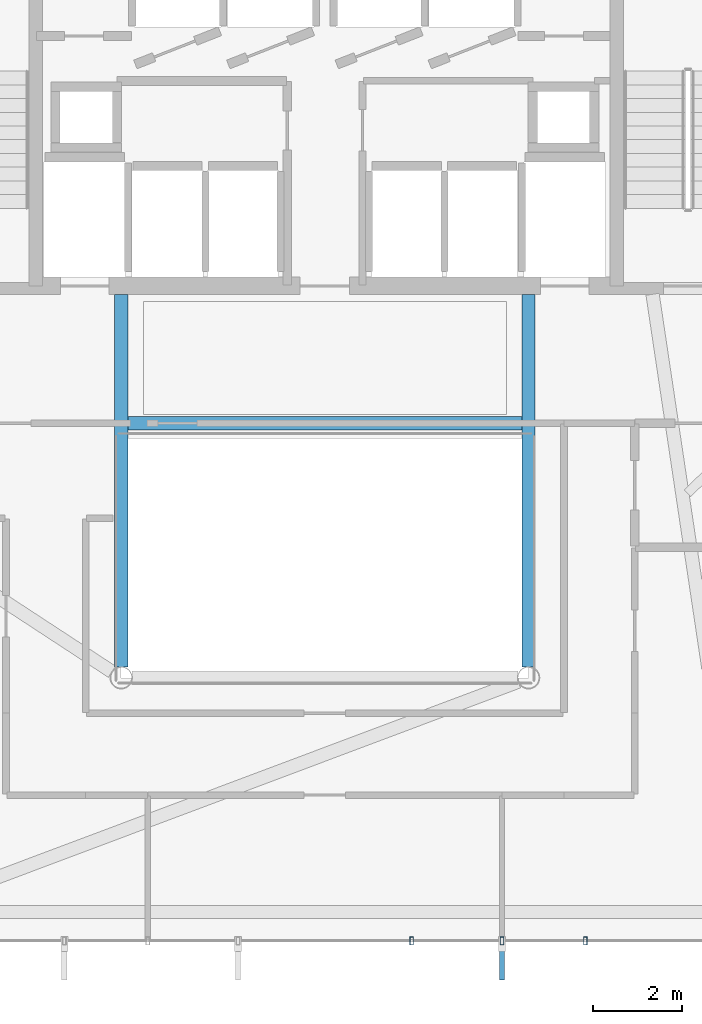
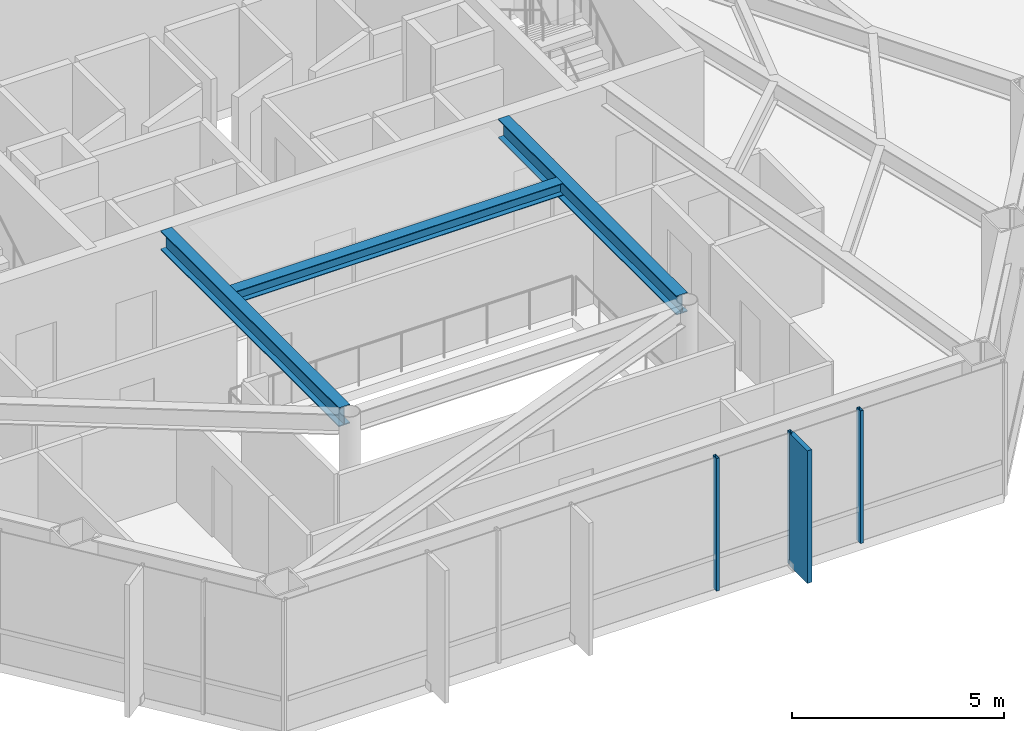
# One storey, part 8 of 25: 4 members, 3 beams, 1 element without a shape of its own.
"""IFC4 building model written with IfcOpenShell, lengths in metres."""

from ifc_helpers import new_model, si_unit, direction, frame, origin, origin_2d, place, context, subcontext, project, spatial, rectangle, hollow_rectangle, i_section, extrude, material, layer, layer_set, material_profile, profile_set, type_object, element, aggregate, save


model = new_model("IFC4")

# Units and contexts
model_context = context("Model", 3, precision=1e-05, world=origin(), true_north=direction((0.0, 1.0)))
body_context = subcontext(model_context, "Body", "Model", "MODEL_VIEW")
ifc_project = project(units=[si_unit("LENGTHUNIT", "METRE"), si_unit("AREAUNIT", "SQUARE_METRE"), si_unit("VOLUMEUNIT", "CUBIC_METRE"), si_unit("PLANEANGLEUNIT", "RADIAN"), si_unit("MASSUNIT", "GRAM", prefix="KILO")], contexts=[model_context])

# Site, building, storey
site_placement = place(None, origin())
site = spatial("IfcSite", under=ifc_project, at=site_placement, CompositionType="ELEMENT")
building_placement = place(site_placement, origin())
building = spatial("IfcBuilding", under=site, at=building_placement, Name="Zarrinselat Tower", CompositionType="ELEMENT")
storey_placement = place(building_placement, frame((0.0, 0.0, 84.659912109375)))
storey = spatial("IfcBuildingStorey", under=building, at=storey_placement, Name="L20", CompositionType="ELEMENT", Elevation=84.659912109375)

# Beams
ifc_material_1 = material(Name="Steel S355J2", Category="steel")
ifc_material_profile_1 = material_profile(ifc_material_1, i_section(OverallWidth=0.300048828125, OverallDepth=0.35009765625, WebThickness=0.010009765625, FlangeThickness=0.017578125, at=origin_2d()), Name="HEA 360")
ifc_profile_set_1 = profile_set([ifc_material_profile_1], Name="Steel S355J2")
beam_type_1 = type_object("IfcBeamType", Name="BM-HEA360", PredefinedType="LINTEL", material=ifc_profile_set_1)
beam_placement = place(storey_placement, frame((33.93994140625, 30.14990234375, 3.64501953125), z_axis=(1.0, 0.0, 0.0), x_axis=(0.0, 1.0, 0.0)))
element("IfcBeam", 1, at=beam_placement, inside=storey, type_object=beam_type_1, Name="L20 Lift Lobby Ceiling Beam", PredefinedType="LINTEL", context=body_context, shape_type="SweptSolid", body=[
    extrude(i_section(OverallWidth=0.300048828125, OverallDepth=0.35009765625, WebThickness=0.010009765625, FlangeThickness=0.017578125, at=origin_2d()), origin(), (0.0, 0.0, 1.0), 8.920166015625),
])
ifc_material_2 = material(Name="Steel S355J2", Category="steel")
ifc_material_profile_2 = material_profile(ifc_material_2, i_section(OverallWidth=0.300048828125, OverallDepth=0.550048828125, WebThickness=0.014892578125, FlangeThickness=0.029052734375, at=origin_2d()), Name="HEB 550")
ifc_profile_set_2 = profile_set([ifc_material_profile_2], Name="Steel S355J2")
beam_type_2 = type_object("IfcBeamType", Name="BM-HEB550", PredefinedType="BEAM", material=ifc_profile_set_2)
for number, where, z_axis, x_axis, name in (
    (2, (33.800048828125, 24.639892578125, 3.545166015625), (0.0, 1.0, 0.0), (-1.0, 0.0, 0.0), "L20 Atrium Edge Beam W"),
    (3, (43.0, 24.639892578125, 3.545166015625), (0.0, 1.0, 0.0), (-1.0, 0.0, 0.0), "L20 Atrium Edge Beam E"),
):
    element("IfcBeam", number, at=place(storey_placement, frame(where, z_axis=z_axis, x_axis=x_axis)), inside=storey, type_object=beam_type_2, Name=name, PredefinedType="BEAM", context=body_context, shape_type="SweptSolid", body=[
        extrude(i_section(OverallWidth=0.300048828125, OverallDepth=0.550048828125, WebThickness=0.014892578125, FlangeThickness=0.029052734375, at=origin_2d()), origin(), (0.0, 0.0, 1.0), 8.420166015625),
    ])

# Curtain wall, members
ifc_material_3 = material(Name="Extruded Aluminium Alloy EN AW-6063 T6", Category="aluminium")
ifc_layer = layer(ifc_material_3, 0.18505859375)
ifc_layer_set = layer_set([ifc_layer], Name="Extruded Aluminium Alloy EN AW-6063 T6")
curtain_wall_type = type_object("IfcCurtainWallType", Name="CWS-OFF", PredefinedType="NOTDEFINED", material=ifc_layer_set)
curtain_wall_placement = place(storey_placement, origin())
curtain_wall = element("IfcCurtainWall", 4, at=curtain_wall_placement, inside=storey, type_object=curtain_wall_type, Name="L20 Unitised Curtain Wall CW-L20-E04", PredefinedType="NOTDEFINED")
ifc_material_4 = material(Name="Extruded Aluminium Alloy EN AW-6063 T6", Category="aluminium")
ifc_material_profile_3 = material_profile(ifc_material_4, hollow_rectangle(XDim=0.080078125, YDim=0.179931640625, WallThickness=0.0048828125, at=origin_2d()), Name="RHS 180x80x5")
ifc_profile_set_3 = profile_set([ifc_material_profile_3], Name="Extruded Aluminium Alloy EN AW-6063 T6")
member_type_1 = type_object("IfcMemberType", Name="MEM-CW-MUL", PredefinedType="MULLION", material=ifc_profile_set_3)
member_1_placement = place(storey_placement, frame((40.361083984375, 18.4599609375, 0.0), z_axis=(0.0, 0.0, 1.0), x_axis=(1.0, 0.0, 0.0)))
member_1 = element("IfcMember", 5, at=member_1_placement, type_object=member_type_1, Name="CW-L20-E04 Mullion 4", PredefinedType="MULLION", context=body_context, shape_type="SweptSolid", body=[
    extrude(hollow_rectangle(XDim=0.080078125, YDim=0.179931640625, WallThickness=0.0048828125, at=origin_2d()), origin(), (0.0, 0.0, 1.0), 3.820068359375),
])
member_2_placement = place(storey_placement, frame((42.39990234375, 18.4599609375, 0.0), z_axis=(0.0, 0.0, 1.0), x_axis=(1.0, 0.0, 0.0)))
member_2 = element("IfcMember", 6, at=member_2_placement, type_object=member_type_1, Name="CW-L20-E04 Mullion 5", PredefinedType="MULLION", context=body_context, shape_type="SweptSolid", body=[
    extrude(hollow_rectangle(XDim=0.080078125, YDim=0.179931640625, WallThickness=0.0048828125, at=origin_2d()), origin(), (0.0, 0.0, 1.0), 3.820068359375),
])
member_3_placement = place(storey_placement, frame((44.283447265625, 18.4599609375, 0.0), z_axis=(0.0, 0.0, 1.0), x_axis=(1.0, 0.0, 0.0)))
member_3 = element("IfcMember", 7, at=member_3_placement, type_object=member_type_1, Name="CW-L20-E04 Mullion 6", PredefinedType="MULLION", context=body_context, shape_type="SweptSolid", body=[
    extrude(hollow_rectangle(XDim=0.080078125, YDim=0.179931640625, WallThickness=0.0048828125, at=origin_2d()), origin(), (0.0, 0.0, 1.0), 3.820068359375),
])
ifc_material_5 = material(Name="Honed Cream Travertine Stone", Category="masonry")
ifc_material_profile_4 = material_profile(ifc_material_5, rectangle(XDim=0.1201171875, YDim=0.85009765625, at=origin_2d()), Name="FIN 850x120")
ifc_profile_set_4 = profile_set([ifc_material_profile_4], Name="Honed Cream Travertine Stone")
member_type_2 = type_object("IfcMemberType", Name="MEM-STONE-FIN", PredefinedType="USERDEFINED", material=ifc_profile_set_4)
member_4_placement = place(storey_placement, frame((42.39990234375, 18.0, 0.0), z_axis=(0.0, 0.0, 1.0), x_axis=(-1.0, 0.0, 0.0)))
member_4 = element("IfcMember", 8, at=member_4_placement, type_object=member_type_2, Name="L20 Stone Shading Fin CW-L20-E04-05", ObjectType="FIN", PredefinedType="USERDEFINED", context=body_context, shape_type="SweptSolid", body=[
    extrude(rectangle(XDim=0.1201171875, YDim=0.85009765625, at=origin_2d()), origin(), (0.0, 0.0, 1.0), 3.820068359375),
])
aggregate(curtain_wall, [member_1, member_2, member_4, member_3])

save(model, "model.ifc")
